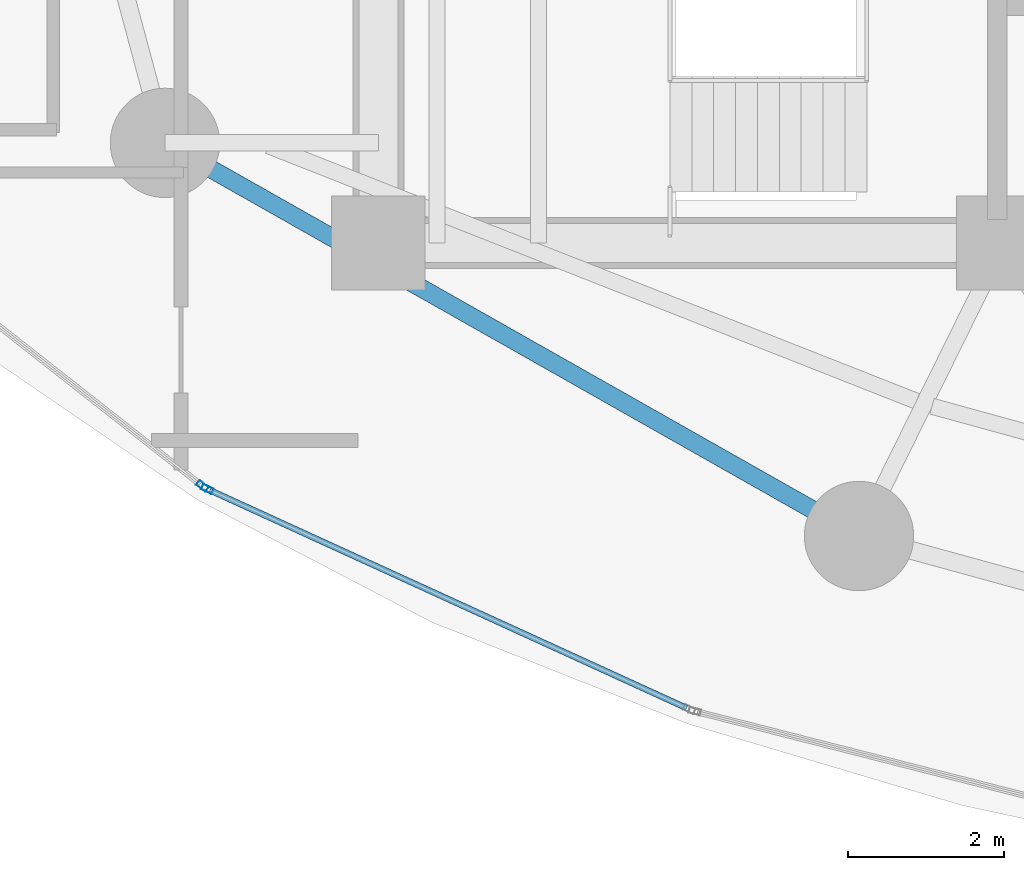
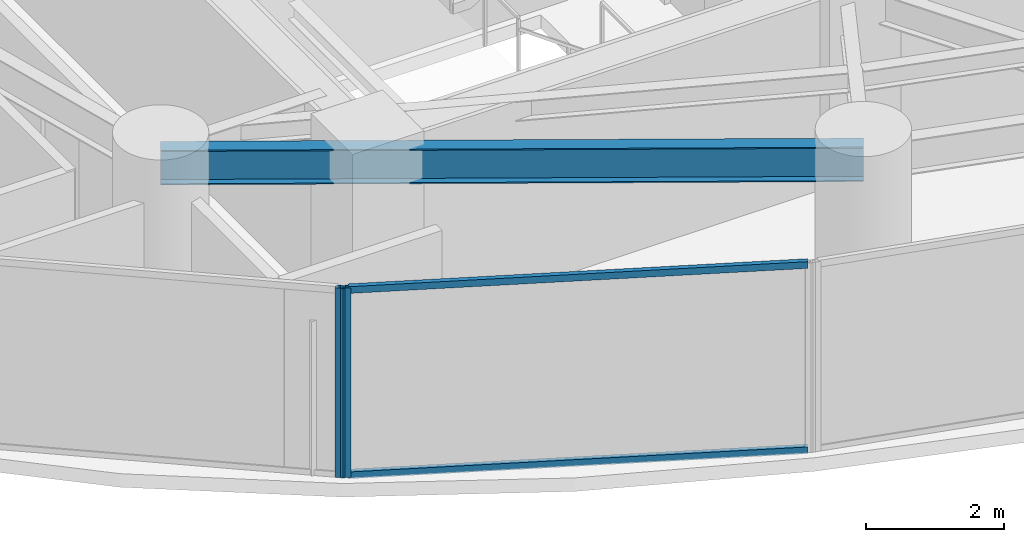
# One storey, part 2 of 33: 4 members, 1 beam, 2 elements without a shape of their own.
"""IFC4 building model written with IfcOpenShell, lengths in metres."""

from ifc_helpers import new_model, si_unit, direction, frame, origin, origin_2d, place, context, subcontext, project, spatial, hollow_rectangle, i_section, extrude, material, layer, layer_set, material_profile, profile_set, type_object, element, aggregate, save


model = new_model("IFC4")

# Units and contexts
model_context = context("Model", 3, precision=1e-05, world=origin(), true_north=direction((0.0, 1.0)))
body_context = subcontext(model_context, "Body", "Model", "MODEL_VIEW")
ifc_project = project(units=[si_unit("LENGTHUNIT", "METRE"), si_unit("AREAUNIT", "SQUARE_METRE"), si_unit("VOLUMEUNIT", "CUBIC_METRE"), si_unit("PLANEANGLEUNIT", "RADIAN"), si_unit("MASSUNIT", "GRAM", prefix="KILO")], contexts=[model_context])

# Site, building, storey
site_placement = place(None, origin())
site = spatial("IfcSite", under=ifc_project, at=site_placement, CompositionType="ELEMENT")
building_placement = place(site_placement, origin())
building = spatial("IfcBuilding", under=site, at=building_placement, Name="Kazevale Care Tower and Concert Hall", CompositionType="ELEMENT")
storey_placement = place(building_placement, frame((0.0, 0.0, 49.199951171875)))
storey = spatial("IfcBuildingStorey", under=building, at=storey_placement, Name="L12", CompositionType="ELEMENT", Elevation=49.199951171875)

# Curtain wall, member
ifc_material_1 = material(Name="Aluminium 6063-T6 and Low-E Glass", Category="aluminium")
ifc_layer = layer(ifc_material_1, 0.179931640625)
ifc_layer_set = layer_set([ifc_layer], Name="Aluminium 6063-T6 and Low-E Glass")
curtain_wall_type = type_object("IfcCurtainWallType", Name="Sheltered Concave Balcony Curtain Wall CW-5", PredefinedType="NOTDEFINED", material=ifc_layer_set)
curtain_wall_1_placement = place(storey_placement, origin())
curtain_wall_1 = element("IfcCurtainWall", 1, at=curtain_wall_1_placement, inside=storey, type_object=curtain_wall_type, Name="cw:L12:f09", PredefinedType="NOTDEFINED")
ifc_material_2 = material(Name="Aluminium 6063-T6", Category="aluminium")
ifc_material_profile_1 = material_profile(ifc_material_2, hollow_rectangle(XDim=0.074951171875, YDim=0.14990234375, WallThickness=0.00390625, at=origin_2d()), Name="ALU75x150x4")
ifc_profile_set_1 = profile_set([ifc_material_profile_1], Name="Aluminium 6063-T6")
member_type_1 = type_object("IfcMemberType", Name="CW-5 Mullion ALU75x150x4", PredefinedType="MULLION", material=ifc_profile_set_1)
member_1_placement = place(storey_placement, frame((19.81201171875, 20.451416015625, 0.0), z_axis=(0.0, 0.0, 1.0), x_axis=(-0.415659767773, -0.909520179795, 0.0)))
member_1 = element("IfcMember", 2, at=member_1_placement, type_object=member_type_1, Name="CW-5 mullion 2", PredefinedType="MULLION", context=body_context, shape_type="SweptSolid", body=[
    extrude(hollow_rectangle(XDim=0.074951171875, YDim=0.14990234375, WallThickness=0.00390625, at=origin_2d()), origin(), (0.0, 0.0, 1.0), 3.360107421875),
])

curtain_wall_2_placement = place(storey_placement, origin())
curtain_wall_2 = element("IfcCurtainWall", 3, at=curtain_wall_2_placement, inside=storey, type_object=curtain_wall_type, Name="cw:L12:f10", PredefinedType="NOTDEFINED")
member_2_placement = place(storey_placement, frame((19.74853515625, 20.490234375, 0.0), z_axis=(0.0, 0.0, 1.0), x_axis=(-0.617807548814, -0.78632934107, 0.0)))
member_2 = element("IfcMember", 4, at=member_2_placement, type_object=member_type_1, Name="CW-5 mullion 1", PredefinedType="MULLION", context=body_context, shape_type="SweptSolid", body=[
    extrude(hollow_rectangle(XDim=0.074951171875, YDim=0.14990234375, WallThickness=0.00390625, at=origin_2d()), origin(), (0.0, 0.0, 1.0), 3.360107421875),
])
aggregate(curtain_wall_2, [member_2])

# Member
ifc_material_profile_2 = material_profile(ifc_material_2, hollow_rectangle(XDim=0.074951171875, YDim=0.1201171875, WallThickness=0.00390625, at=origin_2d()), Name="ALU75x120x4")
ifc_profile_set_2 = profile_set([ifc_material_profile_2], Name="Aluminium 6063-T6")
member_type_2 = type_object("IfcMemberType", Name="CW-5 Transom ALU75x120x4", PredefinedType="USERDEFINED", material=ifc_profile_set_2)
member_3_placement = place(storey_placement, frame((25.94384765625, 17.649169921875, 0.03759765625), z_axis=(-0.909524040017, 0.415651320978, 0.0), x_axis=(-0.415651320978, -0.909524040017, 0.0)))
member_3 = element("IfcMember", 5, at=member_3_placement, type_object=member_type_2, Name="CW-5 transom 1.1", ObjectType="TRANSOM", PredefinedType="USERDEFINED", context=body_context, shape_type="SweptSolid", body=[
    extrude(hollow_rectangle(XDim=0.074951171875, YDim=0.1201171875, WallThickness=0.00390625, at=origin_2d()), origin(), (0.0, 0.0, 1.0), 6.704345703125),
])

member_4_placement = place(storey_placement, frame((25.94384765625, 17.649169921875, 3.322509765625), z_axis=(-0.909524040017, 0.415651320978, 0.0), x_axis=(-0.415651320978, -0.909524040017, 0.0)))
member_4 = element("IfcMember", 6, at=member_4_placement, type_object=member_type_2, Name="CW-5 transom 1.2", ObjectType="TRANSOM", PredefinedType="USERDEFINED", context=body_context, shape_type="SweptSolid", body=[
    extrude(hollow_rectangle(XDim=0.074951171875, YDim=0.1201171875, WallThickness=0.00390625, at=origin_2d()), origin(), (0.0, 0.0, 1.0), 6.704345703125),
])

aggregate(curtain_wall_1, [member_1, member_3, member_4])

# Beam
ifc_material_3 = material(Name="Steel ASTM A572 Gr 50", Category="steel")
ifc_material_profile_3 = material_profile(ifc_material_3, i_section(OverallWidth=0.22900390625, OverallDepth=0.612060546875, WebThickness=0.011962890625, FlangeThickness=0.01953125, at=origin_2d()), Name="W610x125")
ifc_profile_set_3 = profile_set([ifc_material_profile_3], Name="Steel ASTM A572 Gr 50")
beam_type = type_object("IfcBeamType", Name="Ring Spandrel Beam W610x125", PredefinedType="SPANDREL", material=ifc_profile_set_3)
beam_placement = place(storey_placement, frame((19.27001953125, 24.8798828125, 3.053955078125), z_axis=(0.870112469479, -0.492853213906, 0.0), x_axis=(0.492853213906, 0.870112469479, 0.0)))
element("IfcBeam", 7, at=beam_placement, inside=storey, type_object=beam_type, Name="beam:L12:ring:10", PredefinedType="SPANDREL", context=body_context, shape_type="SweptSolid", body=[
    extrude(i_section(OverallWidth=0.22900390625, OverallDepth=0.612060546875, WebThickness=0.011962890625, FlangeThickness=0.01953125, at=origin_2d()), origin(), (0.0, 0.0, 1.0), 10.205322265625),
])

save(model, "model.ifc")
